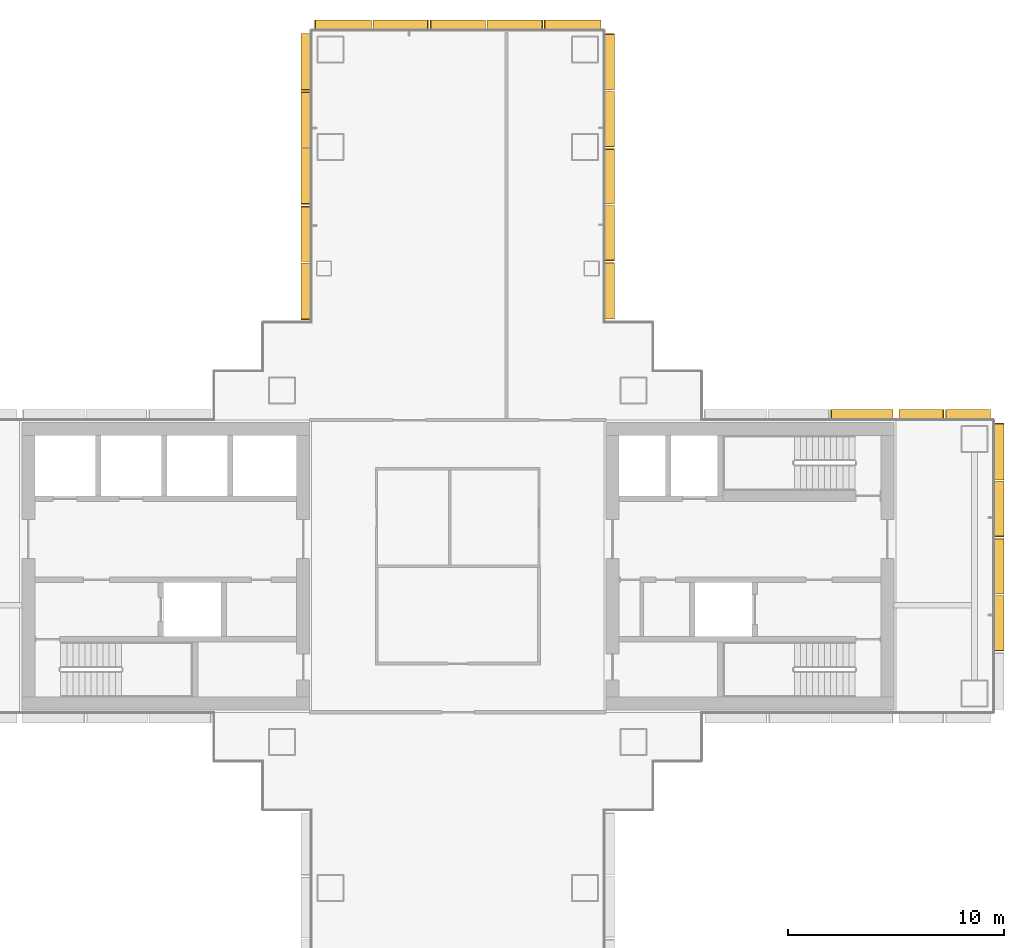
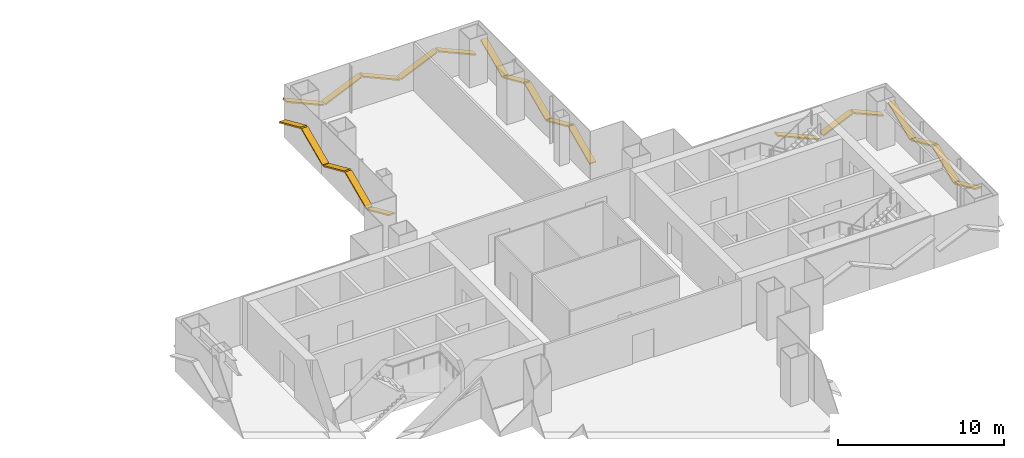
# One storey, part 18 of 19: 22 shading devices.
"""IFC4 building model written with IfcOpenShell, lengths in metres."""

from ifc_helpers import new_model, si_unit, direction, frame, origin, origin_2d, place, context, subcontext, project, spatial, rectangle, extrude, material, material_profile, profile_set, type_object, element, save


model = new_model("IFC4")

# Units and contexts
model_context = context("Model", 3, precision=1e-05, world=origin(), true_north=direction((0.0, 1.0)))
body_context = subcontext(model_context, "Body", "Model", "MODEL_VIEW")
ifc_project = project(units=[si_unit("LENGTHUNIT", "METRE"), si_unit("AREAUNIT", "SQUARE_METRE"), si_unit("VOLUMEUNIT", "CUBIC_METRE"), si_unit("PLANEANGLEUNIT", "RADIAN"), si_unit("MASSUNIT", "GRAM", prefix="KILO")], contexts=[model_context])

# Site, building, storey
site_placement = place(None, origin())
site = spatial("IfcSite", under=ifc_project, at=site_placement, CompositionType="ELEMENT")
building_placement = place(site_placement, origin())
building = spatial("IfcBuilding", under=site, at=building_placement, Name="Shamsa Quay Exchange Towers", CompositionType="ELEMENT")
storey_placement = place(building_placement, frame((0.0, 0.0, 85.800048828125)))
storey = spatial("IfcBuildingStorey", under=building, at=storey_placement, Name="L19", CompositionType="ELEMENT", Elevation=85.800048828125)

# Shading devices
ifc_material = material(Name="Aluminium EN AW-6063 T6, black anodised", Category="aluminium")
ifc_material_profile = material_profile(ifc_material, rectangle(XDim=0.449951171875, YDim=0.10009765625, at=origin_2d()), Name="FIN450x100")
ifc_profile_set = profile_set([ifc_material_profile], Name="Aluminium EN AW-6063 T6, black anodised")
shading_device_type = type_object("IfcShadingDeviceType", Name="FIN 450x100 BLACK ALUMINIUM", PredefinedType="USERDEFINED", material=ifc_profile_set)
shading_device_1_placement = place(storey_placement, frame((58.764892578125, -3.909912109375, 2.165283203125), z_axis=(0.0, 0.913536125794, -0.406757602103), x_axis=(-1.0, 0.0, 0.0)))
element("IfcShadingDevice", 1, at=shading_device_1_placement, inside=storey, type_object=shading_device_type, Name="FIN T2 chevron rib", ObjectType="FIN", PredefinedType="USERDEFINED", context=body_context, shape_type="SweptSolid", body=[
    extrude(rectangle(XDim=0.449951171875, YDim=0.10009765625, at=origin_2d()), origin(), (0.0, 0.0, 1.0), 2.7802734375),
])
shading_device_2_placement = place(storey_placement, frame((58.764892578125, -1.27001953125, 1.034423828125), z_axis=(0.0, 0.913550653139, 0.4067249736), x_axis=(-1.0, 0.0, 0.0)))
element("IfcShadingDevice", 2, at=shading_device_2_placement, inside=storey, type_object=shading_device_type, Name="FIN T2 chevron rib", ObjectType="FIN", PredefinedType="USERDEFINED", context=body_context, shape_type="SweptSolid", body=[
    extrude(rectangle(XDim=0.449951171875, YDim=0.10009765625, at=origin_2d()), origin(), (0.0, 0.0, 1.0), 2.780517578125),
])
shading_device_3_placement = place(storey_placement, frame((58.764892578125, 1.3701171875, 2.165283203125), z_axis=(0.0, 0.913536125794, -0.406757602103), x_axis=(-1.0, 0.0, 0.0)))
element("IfcShadingDevice", 3, at=shading_device_3_placement, inside=storey, type_object=shading_device_type, Name="FIN T2 chevron rib", ObjectType="FIN", PredefinedType="USERDEFINED", context=body_context, shape_type="SweptSolid", body=[
    extrude(rectangle(XDim=0.449951171875, YDim=0.10009765625, at=origin_2d()), origin(), (0.0, 0.0, 1.0), 2.7802734375),
])
shading_device_4_placement = place(storey_placement, frame((58.764892578125, 4.010009765625, 1.0234375), z_axis=(0.0, 0.91355925163, 0.406705659859), x_axis=(-1.0, 0.0, 0.0)))
element("IfcShadingDevice", 4, at=shading_device_4_placement, inside=storey, type_object=shading_device_type, Name="FIN T2 chevron rib", ObjectType="FIN", PredefinedType="USERDEFINED", context=body_context, shape_type="SweptSolid", body=[
    extrude(rectangle(XDim=0.449951171875, YDim=0.10009765625, at=origin_2d()), origin(), (0.0, 0.0, 1.0), 2.835205078125),
])
for number, where, z_axis, x_axis, name in (
    (5, (58.35009765625, 7.014892578125, 1.1435546875), (-0.913528691757, 0.0, 0.406774297783), (0.0, -1.0, 0.0), "FIN T2 chevron rib"),
    (6, (56.199951171875, 7.014892578125, 2.056396484375), (-0.913528691757, 0.0, -0.406774297783), (0.0, -1.0, 0.0), "FIN T2 chevron rib"),
):
    element("IfcShadingDevice", number, at=place(storey_placement, frame(where, z_axis=z_axis, x_axis=x_axis)), inside=storey, type_object=shading_device_type, Name=name, ObjectType="FIN", PredefinedType="USERDEFINED", context=body_context, shape_type="SweptSolid", body=[
        extrude(rectangle(XDim=0.449951171875, YDim=0.10009765625, at=origin_2d()), origin(), (0.0, 0.0, 1.0), 2.244140625),
    ])
shading_device_5_placement = place(storey_placement, frame((53.85009765625, 7.01904296875, 0.965576171875), z_axis=(-0.913562893981, 0.0, 0.406697478158), x_axis=(0.0, -1.0, 0.0)))
element("IfcShadingDevice", 7, at=shading_device_5_placement, inside=storey, type_object=shading_device_type, Name="FIN T2 chevron rib", ObjectType="FIN", PredefinedType="USERDEFINED", context=body_context, shape_type="SweptSolid", body=[
    extrude(rectangle(XDim=0.449951171875, YDim=0.10009765625, at=origin_2d()), origin(), (0.0, 0.0, 1.0), 3.119873046875),
])
shading_device_6_placement = place(storey_placement, frame((40.764892578125, 11.43798828125, 1.025146484375), z_axis=(0.0, 0.913565642655, 0.406691303768), x_axis=(-1.0, 0.0, 0.0)))
element("IfcShadingDevice", 8, at=shading_device_6_placement, inside=storey, type_object=shading_device_type, Name="FIN T2 chevron rib", ObjectType="FIN", PredefinedType="USERDEFINED", context=body_context, shape_type="SweptSolid", body=[
    extrude(rectangle(XDim=0.449951171875, YDim=0.10009765625, at=origin_2d()), origin(), (0.0, 0.0, 1.0), 2.826904296875),
])
for number, where, z_axis, x_axis, name in (
    (9, (40.764892578125, 14.120361328125, 2.163818359375), (0.0, 0.913524420232, -0.406783890586), (-1.0, 0.0, 0.0), "FIN T2 chevron rib"),
    (10, (40.764892578125, 16.752685546875, 1.0361328125), (0.0, 0.913524420232, 0.406783890586), (-1.0, 0.0, 0.0), "FIN T2 chevron rib"),
):
    element("IfcShadingDevice", number, at=place(storey_placement, frame(where, z_axis=z_axis, x_axis=x_axis)), inside=storey, type_object=shading_device_type, Name=name, ObjectType="FIN", PredefinedType="USERDEFINED", context=body_context, shape_type="SweptSolid", body=[
        extrude(rectangle(XDim=0.449951171875, YDim=0.10009765625, at=origin_2d()), origin(), (0.0, 0.0, 1.0), 2.772216796875),
    ])
shading_device_7_placement = place(storey_placement, frame((40.764892578125, 19.38525390625, 2.163818359375), z_axis=(0.0, 0.913509845664, -0.406816619468), x_axis=(-1.0, 0.0, 0.0)))
element("IfcShadingDevice", 11, at=shading_device_7_placement, inside=storey, type_object=shading_device_type, Name="FIN T2 chevron rib", ObjectType="FIN", PredefinedType="USERDEFINED", context=body_context, shape_type="SweptSolid", body=[
    extrude(rectangle(XDim=0.449951171875, YDim=0.10009765625, at=origin_2d()), origin(), (0.0, 0.0, 1.0), 2.77197265625),
])
shading_device_8_placement = place(storey_placement, frame((40.764892578125, 22.017578125, 1.025146484375), z_axis=(0.0, 0.913565642655, 0.406691303768), x_axis=(-1.0, 0.0, 0.0)))
element("IfcShadingDevice", 12, at=shading_device_8_placement, inside=storey, type_object=shading_device_type, Name="FIN T2 chevron rib", ObjectType="FIN", PredefinedType="USERDEFINED", context=body_context, shape_type="SweptSolid", body=[
    extrude(rectangle(XDim=0.449951171875, YDim=0.10009765625, at=origin_2d()), origin(), (0.0, 0.0, 1.0), 2.826904296875),
])
shading_device_9_placement = place(storey_placement, frame((40.35009765625, 25.014892578125, 1.0234375), z_axis=(-0.91355925163, 0.0, 0.406705659859), x_axis=(0.0, -1.0, 0.0)))
element("IfcShadingDevice", 13, at=shading_device_9_placement, inside=storey, type_object=shading_device_type, Name="FIN T2 chevron rib", ObjectType="FIN", PredefinedType="USERDEFINED", context=body_context, shape_type="SweptSolid", body=[
    extrude(rectangle(XDim=0.449951171875, YDim=0.10009765625, at=origin_2d()), origin(), (0.0, 0.0, 1.0), 2.835205078125),
])
shading_device_10_placement = place(storey_placement, frame((37.659912109375, 25.014892578125, 2.165283203125), z_axis=(-0.913536125794, 0.0, -0.406757602103), x_axis=(0.0, -1.0, 0.0)))
element("IfcShadingDevice", 14, at=shading_device_10_placement, inside=storey, type_object=shading_device_type, Name="FIN T2 chevron rib", ObjectType="FIN", PredefinedType="USERDEFINED", context=body_context, shape_type="SweptSolid", body=[
    extrude(rectangle(XDim=0.449951171875, YDim=0.10009765625, at=origin_2d()), origin(), (0.0, 0.0, 1.0), 2.7802734375),
])
shading_device_11_placement = place(storey_placement, frame((35.02001953125, 25.014892578125, 1.034423828125), z_axis=(-0.913550653139, 0.0, 0.4067249736), x_axis=(0.0, -1.0, 0.0)))
element("IfcShadingDevice", 15, at=shading_device_11_placement, inside=storey, type_object=shading_device_type, Name="FIN T2 chevron rib", ObjectType="FIN", PredefinedType="USERDEFINED", context=body_context, shape_type="SweptSolid", body=[
    extrude(rectangle(XDim=0.449951171875, YDim=0.10009765625, at=origin_2d()), origin(), (0.0, 0.0, 1.0), 2.780517578125),
])
shading_device_12_placement = place(storey_placement, frame((32.3798828125, 25.014892578125, 2.165283203125), z_axis=(-0.913536125794, 0.0, -0.406757602103), x_axis=(0.0, -1.0, 0.0)))
element("IfcShadingDevice", 16, at=shading_device_12_placement, inside=storey, type_object=shading_device_type, Name="FIN T2 chevron rib", ObjectType="FIN", PredefinedType="USERDEFINED", context=body_context, shape_type="SweptSolid", body=[
    extrude(rectangle(XDim=0.449951171875, YDim=0.10009765625, at=origin_2d()), origin(), (0.0, 0.0, 1.0), 2.7802734375),
])
for number, where, z_axis, x_axis, name in (
    (17, (29.739990234375, 25.014892578125, 1.0234375), (-0.91355925163, 0.0, 0.406705659859), (0.0, -1.0, 0.0), "FIN T2 chevron rib"),
    (18, (26.735107421875, 24.60009765625, 1.0234375), (0.0, -0.91355925163, 0.406705659859), (1.0, 0.0, 0.0), "FIN T2 chevron rib"),
):
    element("IfcShadingDevice", number, at=place(storey_placement, frame(where, z_axis=z_axis, x_axis=x_axis)), inside=storey, type_object=shading_device_type, Name=name, ObjectType="FIN", PredefinedType="USERDEFINED", context=body_context, shape_type="SweptSolid", body=[
        extrude(rectangle(XDim=0.449951171875, YDim=0.10009765625, at=origin_2d()), origin(), (0.0, 0.0, 1.0), 2.835205078125),
    ])
shading_device_13_placement = place(storey_placement, frame((26.735107421875, 21.909912109375, 2.165283203125), z_axis=(0.0, -0.913536125794, -0.406757602103), x_axis=(1.0, 0.0, 0.0)))
element("IfcShadingDevice", 19, at=shading_device_13_placement, inside=storey, type_object=shading_device_type, Name="FIN T2 chevron rib", ObjectType="FIN", PredefinedType="USERDEFINED", context=body_context, shape_type="SweptSolid", body=[
    extrude(rectangle(XDim=0.449951171875, YDim=0.10009765625, at=origin_2d()), origin(), (0.0, 0.0, 1.0), 2.7802734375),
])
shading_device_14_placement = place(storey_placement, frame((26.735107421875, 19.27001953125, 1.034423828125), z_axis=(0.0, -0.913550653139, 0.4067249736), x_axis=(1.0, 0.0, 0.0)))
element("IfcShadingDevice", 20, at=shading_device_14_placement, inside=storey, type_object=shading_device_type, Name="FIN T2 chevron rib", ObjectType="FIN", PredefinedType="USERDEFINED", context=body_context, shape_type="SweptSolid", body=[
    extrude(rectangle(XDim=0.449951171875, YDim=0.10009765625, at=origin_2d()), origin(), (0.0, 0.0, 1.0), 2.780517578125),
])
shading_device_15_placement = place(storey_placement, frame((26.735107421875, 16.6298828125, 2.165283203125), z_axis=(0.0, -0.913536125794, -0.406757602103), x_axis=(1.0, 0.0, 0.0)))
element("IfcShadingDevice", 21, at=shading_device_15_placement, inside=storey, type_object=shading_device_type, Name="FIN T2 chevron rib", ObjectType="FIN", PredefinedType="USERDEFINED", context=body_context, shape_type="SweptSolid", body=[
    extrude(rectangle(XDim=0.449951171875, YDim=0.10009765625, at=origin_2d()), origin(), (0.0, 0.0, 1.0), 2.7802734375),
])
shading_device_16_placement = place(storey_placement, frame((26.735107421875, 13.989990234375, 1.0234375), z_axis=(0.0, -0.91355925163, 0.406705659859), x_axis=(1.0, 0.0, 0.0)))
element("IfcShadingDevice", 22, at=shading_device_16_placement, inside=storey, type_object=shading_device_type, Name="FIN T2 chevron rib", ObjectType="FIN", PredefinedType="USERDEFINED", context=body_context, shape_type="SweptSolid", body=[
    extrude(rectangle(XDim=0.449951171875, YDim=0.10009765625, at=origin_2d()), origin(), (0.0, 0.0, 1.0), 2.835205078125),
])

save(model, "model.ifc")
